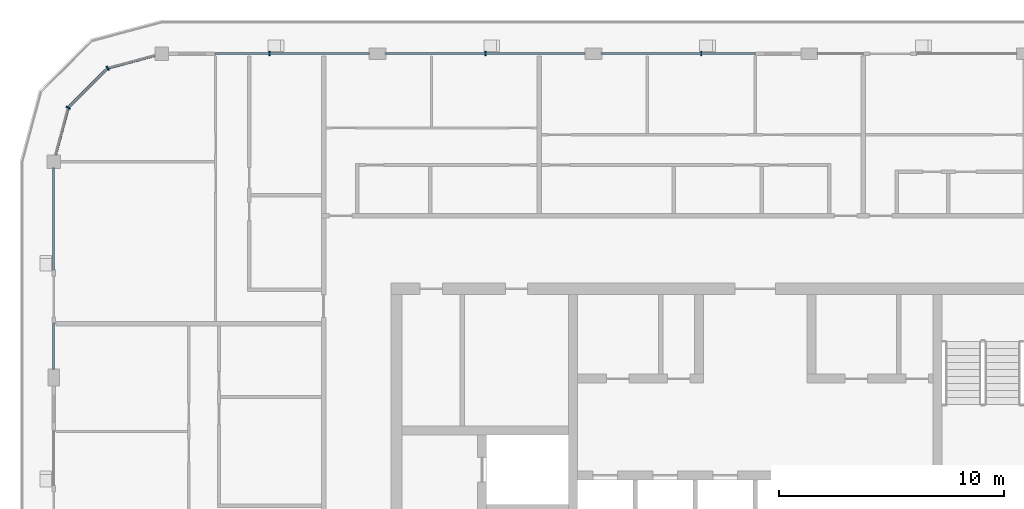
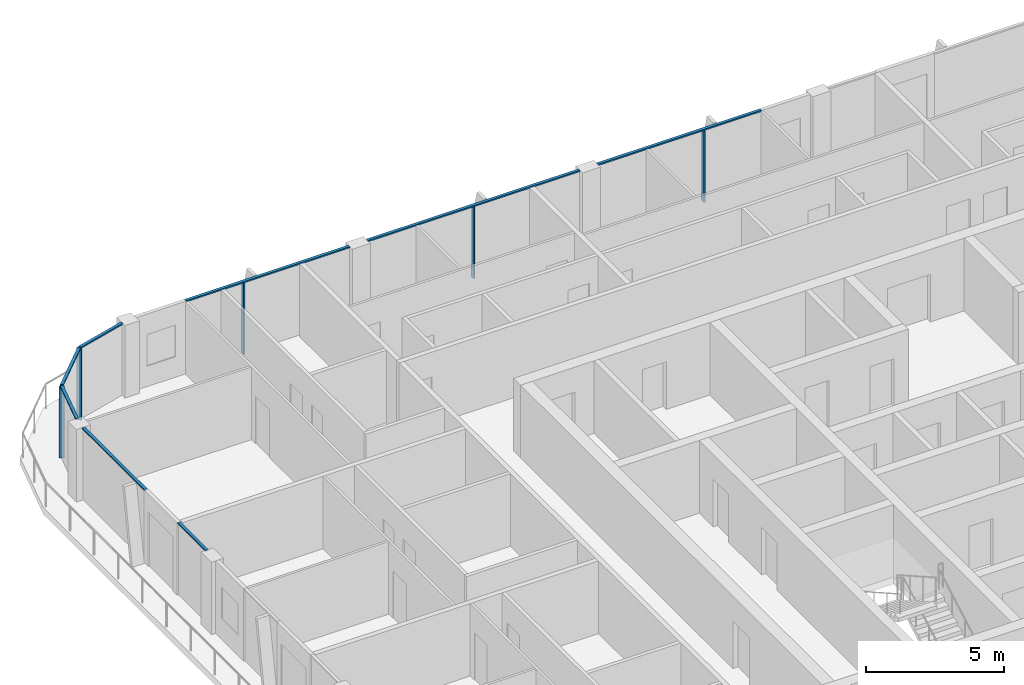
# One storey, part 5 of 21: 13 members, 5 elements without a shape of their own.
"""IFC4 building model written with IfcOpenShell, lengths in metres."""

from ifc_helpers import new_model, si_unit, direction, frame, origin, origin_2d, place, context, subcontext, project, spatial, rectangle, extrude, material, layer, layer_set, material_profile, profile_set, type_object, element, aggregate, save


model = new_model("IFC4")

# Units and contexts
model_context = context("Model", 3, precision=1e-05, world=origin(), true_north=direction((0.0, 1.0)))
body_context = subcontext(model_context, "Body", "Model", "MODEL_VIEW")
ifc_project = project(units=[si_unit("LENGTHUNIT", "METRE"), si_unit("AREAUNIT", "SQUARE_METRE"), si_unit("VOLUMEUNIT", "CUBIC_METRE"), si_unit("PLANEANGLEUNIT", "RADIAN"), si_unit("MASSUNIT", "GRAM", prefix="KILO")], contexts=[model_context])

# Site, building, storey
site_placement = place(None, origin())
site = spatial("IfcSite", under=ifc_project, at=site_placement, CompositionType="ELEMENT")
building_placement = place(site_placement, origin())
building = spatial("IfcBuilding", under=site, at=building_placement, Name="Madar Terraces", CompositionType="ELEMENT")
storey_placement = place(building_placement, frame((0.0, 0.0, 272.10009765625)))
storey = spatial("IfcBuildingStorey", under=building, at=storey_placement, Name="L71", CompositionType="ELEMENT", Elevation=272.10009765625)

# Curtain wall, member
ifc_material_1 = material(Name="Glass, ceramic frit dark grey, with black aluminium frame", Category="aluminium")
ifc_layer = layer(ifc_material_1, 0.199951171875)
ifc_layer_set = layer_set([ifc_layer], Name="Facade curtain wall, fritted glass")
curtain_wall_type = type_object("IfcCurtainWallType", Name="Facade curtain wall, fritted glass", PredefinedType="NOTDEFINED", material=ifc_layer_set)
curtain_wall_1_placement = place(storey_placement, origin())
curtain_wall_1 = element("IfcCurtainWall", 1, at=curtain_wall_1_placement, inside=storey, type_object=curtain_wall_type, Name="Outer skin curtain wall north bay 3", PredefinedType="NOTDEFINED")
ifc_material_2 = material(Name="Aluminium, black anodised", Category="aluminium")
ifc_material_profile_1 = material_profile(ifc_material_2, rectangle(XDim=0.199951171875, YDim=0.06005859375, at=origin_2d()), Name="Facade mullion 60x200")
ifc_profile_set_1 = profile_set([ifc_material_profile_1], Name="Aluminium, black anodised")
member_type_1 = type_object("IfcMemberType", Name="Facade mullion 60x200", PredefinedType="MULLION", material=ifc_profile_set_1)
member_1_placement = place(storey_placement, frame((28.800048828125, 48.0, 0.0), z_axis=(0.0, 0.0, 1.0), x_axis=(0.0, -1.0, 0.0)))
member_1 = element("IfcMember", 2, at=member_1_placement, type_object=member_type_1, Name="Mullion 1", PredefinedType="MULLION", context=body_context, shape_type="SweptSolid", body=[
    extrude(rectangle(XDim=0.199951171875, YDim=0.06005859375, at=origin_2d()), origin(), (0.0, 0.0, 1.0), 3.139892578125),
])

curtain_wall_2_placement = place(storey_placement, origin())
curtain_wall_2 = element("IfcCurtainWall", 3, at=curtain_wall_2_placement, inside=storey, type_object=curtain_wall_type, Name="Outer skin curtain wall north bay 4", PredefinedType="NOTDEFINED")
member_2_placement = place(storey_placement, frame((19.199951171875, 48.0, 0.0), z_axis=(0.0, 0.0, 1.0), x_axis=(0.0, -1.0, 0.0)))
member_2 = element("IfcMember", 4, at=member_2_placement, type_object=member_type_1, Name="Mullion 1", PredefinedType="MULLION", context=body_context, shape_type="SweptSolid", body=[
    extrude(rectangle(XDim=0.199951171875, YDim=0.06005859375, at=origin_2d()), origin(), (0.0, 0.0, 1.0), 3.139892578125),
])

curtain_wall_3_placement = place(storey_placement, origin())
curtain_wall_3 = element("IfcCurtainWall", 5, at=curtain_wall_3_placement, inside=storey, type_object=curtain_wall_type, Name="Outer skin curtain wall north bay 5", PredefinedType="NOTDEFINED")
member_3_placement = place(storey_placement, frame((9.60009765625, 48.0, 0.0), z_axis=(0.0, 0.0, 1.0), x_axis=(0.0, -1.0, 0.0)))
member_3 = element("IfcMember", 6, at=member_3_placement, type_object=member_type_1, Name="Mullion 1", PredefinedType="MULLION", context=body_context, shape_type="SweptSolid", body=[
    extrude(rectangle(XDim=0.199951171875, YDim=0.06005859375, at=origin_2d()), origin(), (0.0, 0.0, 1.0), 3.139892578125),
])

# Curtain wall, members
curtain_wall_4_placement = place(storey_placement, origin())
curtain_wall_4 = element("IfcCurtainWall", 7, at=curtain_wall_4_placement, inside=storey, type_object=curtain_wall_type, Name="Outer skin curtain wall north-west corner", PredefinedType="NOTDEFINED")
member_4_placement = place(storey_placement, frame((2.39990234375, 47.35693359375, 0.0), z_axis=(0.0, 0.0, 1.0), x_axis=(0.499999989586, -0.866025409797, 0.0)))
member_4 = element("IfcMember", 8, at=member_4_placement, type_object=member_type_1, Name="Mullion 1", PredefinedType="MULLION", context=body_context, shape_type="SweptSolid", body=[
    extrude(rectangle(XDim=0.199951171875, YDim=0.06005859375, at=origin_2d()), origin(), (0.0, 0.0, 1.0), 3.139892578125),
])
member_5_placement = place(storey_placement, frame((0.64306640625, 45.60009765625, 0.0), z_axis=(0.0, 0.0, 1.0), x_axis=(0.866025409797, -0.499999989586, 0.0)))
member_5 = element("IfcMember", 9, at=member_5_placement, type_object=member_type_1, Name="Mullion 2", PredefinedType="MULLION", context=body_context, shape_type="SweptSolid", body=[
    extrude(rectangle(XDim=0.199951171875, YDim=0.06005859375, at=origin_2d()), origin(), (0.0, 0.0, 1.0), 3.139892578125),
])

# Member
ifc_material_3 = material(Name="Aluminium, black anodised", Category="aluminium")
ifc_material_profile_2 = material_profile(ifc_material_3, rectangle(XDim=0.1201171875, YDim=0.06005859375, at=origin_2d()), Name="Facade transom 60x120")
ifc_profile_set_2 = profile_set([ifc_material_profile_2], Name="Aluminium, black anodised")
member_type_2 = type_object("IfcMemberType", Name="Facade transom 60x120", PredefinedType="USERDEFINED", material=ifc_profile_set_2)
member_6_placement = place(storey_placement, frame((31.199951171875, 48.0, 3.169921875), z_axis=(-1.0, 0.0, 0.0), x_axis=(0.0, -1.0, 0.0)))
member_6 = element("IfcMember", 10, at=member_6_placement, type_object=member_type_2, Name="Transom 1", ObjectType="TRANSOM", PredefinedType="USERDEFINED", context=body_context, shape_type="SweptSolid", body=[
    extrude(rectangle(XDim=0.1201171875, YDim=0.06005859375, at=origin_2d()), origin(), (0.0, 0.0, 1.0), 6.824951171875),
])

aggregate(curtain_wall_1, [member_1, member_6])

member_7_placement = place(storey_placement, frame((23.625, 48.0, 3.169921875), z_axis=(-1.0, 0.0, 0.0), x_axis=(0.0, -1.0, 0.0)))
member_7 = element("IfcMember", 11, at=member_7_placement, type_object=member_type_2, Name="Transom 1", ObjectType="TRANSOM", PredefinedType="USERDEFINED", context=body_context, shape_type="SweptSolid", body=[
    extrude(rectangle(XDim=0.1201171875, YDim=0.06005859375, at=origin_2d()), origin(), (0.0, 0.0, 1.0), 8.85009765625),
])

aggregate(curtain_wall_2, [member_2, member_7])

member_8_placement = place(storey_placement, frame((14.02490234375, 48.0, 3.169921875), z_axis=(-1.0, 0.0, 0.0), x_axis=(0.0, -1.0, 0.0)))
member_8 = element("IfcMember", 12, at=member_8_placement, type_object=member_type_2, Name="Transom 1", ObjectType="TRANSOM", PredefinedType="USERDEFINED", context=body_context, shape_type="SweptSolid", body=[
    extrude(rectangle(XDim=0.1201171875, YDim=0.06005859375, at=origin_2d()), origin(), (0.0, 0.0, 1.0), 6.824951171875),
])

aggregate(curtain_wall_3, [member_3, member_8])

# Curtain wall, members
curtain_wall_5_placement = place(storey_placement, origin())
curtain_wall_5 = element("IfcCurtainWall", 13, at=curtain_wall_5_placement, inside=storey, type_object=curtain_wall_type, Name="Outer skin curtain wall west bay 1", PredefinedType="NOTDEFINED")
member_9_placement = place(storey_placement, frame((0.0, 42.89990234375, 3.169921875), z_axis=(0.0, -1.0, 0.0), x_axis=(1.0, 0.0, 0.0)))
member_9 = element("IfcMember", 14, at=member_9_placement, type_object=member_type_2, Name="Transom 1", ObjectType="TRANSOM", PredefinedType="USERDEFINED", context=body_context, shape_type="SweptSolid", body=[
    extrude(rectangle(XDim=0.1201171875, YDim=0.06005859375, at=origin_2d()), origin(), (0.0, 0.0, 1.0), 4.5),
])
member_10_placement = place(storey_placement, frame((0.0, 36.0, 3.169921875), z_axis=(0.0, -1.0, 0.0), x_axis=(1.0, 0.0, 0.0)))
member_10 = element("IfcMember", 15, at=member_10_placement, type_object=member_type_2, Name="Transom 2", ObjectType="TRANSOM", PredefinedType="USERDEFINED", context=body_context, shape_type="SweptSolid", body=[
    extrude(rectangle(XDim=0.1201171875, YDim=0.06005859375, at=origin_2d()), origin(), (0.0, 0.0, 1.0), 2.02490234375),
])
aggregate(curtain_wall_5, [member_9, member_10])

# Member
member_11_placement = place(storey_placement, frame((4.5, 47.919677734375, 3.169921875), z_axis=(-0.965926196336, -0.258817664066, 0.0), x_axis=(0.258817664066, -0.965926196336, 0.0)))
member_11 = element("IfcMember", 16, at=member_11_placement, type_object=member_type_2, Name="Transom 1", ObjectType="TRANSOM", PredefinedType="USERDEFINED", context=body_context, shape_type="SweptSolid", body=[
    extrude(rectangle(XDim=0.1201171875, YDim=0.06005859375, at=origin_2d()), origin(), (0.0, 0.0, 1.0), 2.14404296875),
])

member_12_placement = place(storey_placement, frame((2.37890625, 47.335693359375, 3.169921875), z_axis=(-0.707106781187, -0.707106781187, 0.0), x_axis=(0.707106781187, -0.707106781187, 0.0)))
member_12 = element("IfcMember", 17, at=member_12_placement, type_object=member_type_2, Name="Transom 2", ObjectType="TRANSOM", PredefinedType="USERDEFINED", context=body_context, shape_type="SweptSolid", body=[
    extrude(rectangle(XDim=0.1201171875, YDim=0.06005859375, at=origin_2d()), origin(), (0.0, 0.0, 1.0), 2.4248046875),
])

member_13_placement = place(storey_placement, frame((0.63525390625, 45.571044921875, 3.169921875), z_axis=(-0.258817664066, -0.965926196336, 0.0), x_axis=(0.965926196336, -0.258817664066, 0.0)))
member_13 = element("IfcMember", 18, at=member_13_placement, type_object=member_type_2, Name="Transom 3", ObjectType="TRANSOM", PredefinedType="USERDEFINED", context=body_context, shape_type="SweptSolid", body=[
    extrude(rectangle(XDim=0.1201171875, YDim=0.06005859375, at=origin_2d()), origin(), (0.0, 0.0, 1.0), 2.14404296875),
])

aggregate(curtain_wall_4, [member_4, member_11, member_5, member_12, member_13])

save(model, "model.ifc")
